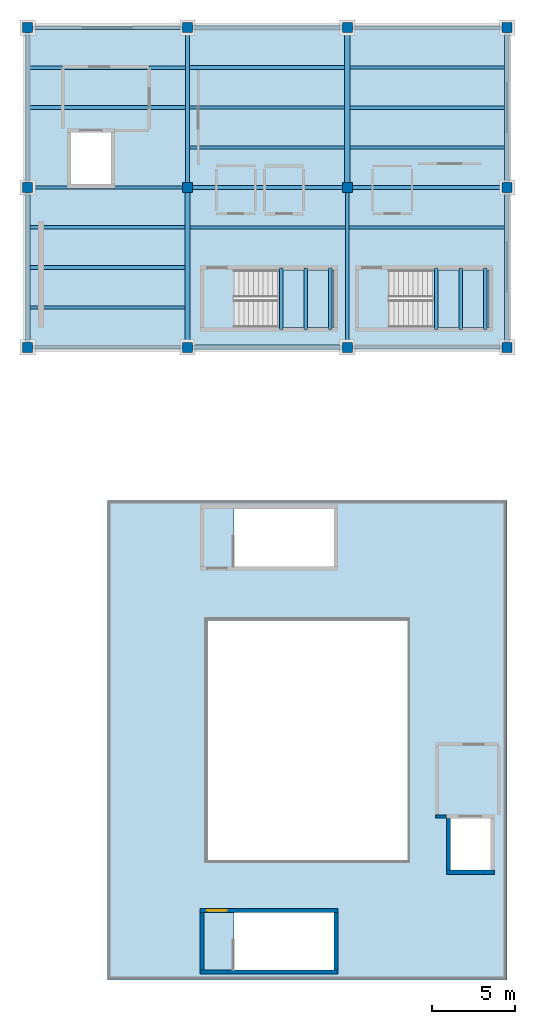
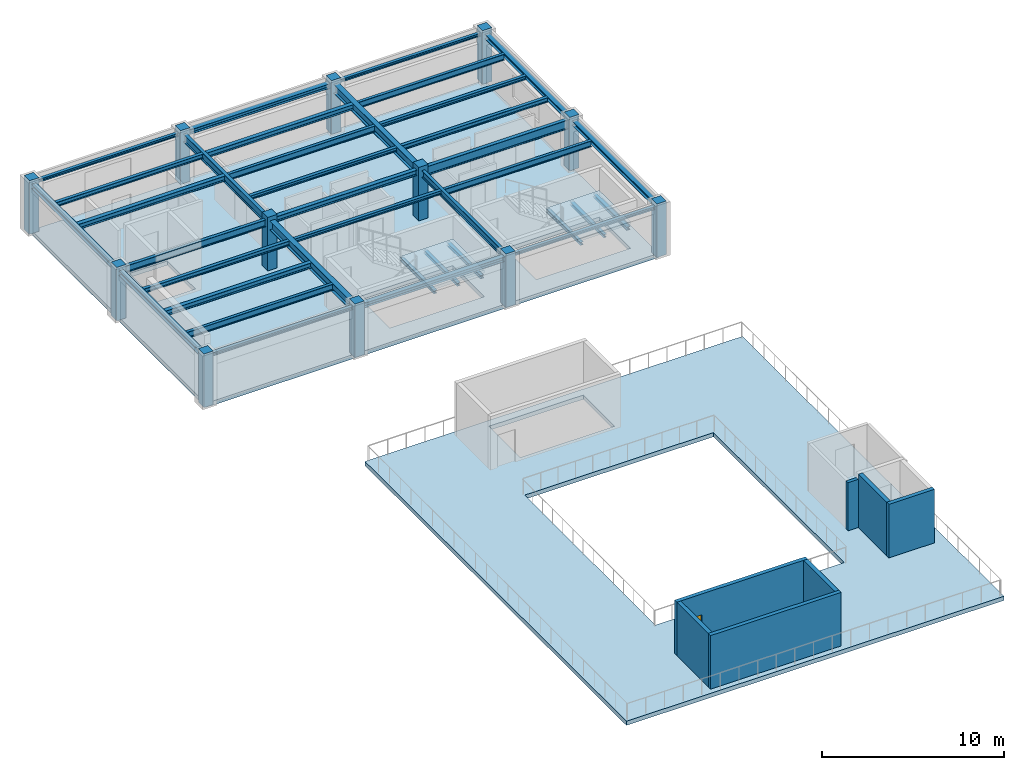
# One storey, part 1 of 6: 36 beams, 12 columns, 7 walls, 4 slabs, 1 door, 1 opening, 2 elements without a shape of their own.
"""IFC4 building model written with IfcOpenShell, lengths in metres."""

from ifc_helpers import new_model, si_unit, direction, frame, frame_2d, origin, origin_2d, place, context, subcontext, project, spatial, polyline, rectangle, i_section, outline, extrude, material, layer, layer_set, material_profile, profile_set, type_object, element, fill, aggregate, save


model = new_model("IFC4")

# Units and contexts
model_context = context("Model", 3, precision=1e-05, world=origin(), true_north=direction((0.0, 1.0)))
body_context = subcontext(model_context, "Body", "Model", "MODEL_VIEW")
ifc_project = project(units=[si_unit("LENGTHUNIT", "METRE"), si_unit("AREAUNIT", "SQUARE_METRE"), si_unit("VOLUMEUNIT", "CUBIC_METRE"), si_unit("PLANEANGLEUNIT", "RADIAN"), si_unit("MASSUNIT", "GRAM", prefix="KILO")], contexts=[model_context])

# Site, building, storey
site_placement = place(None, origin())
site = spatial("IfcSite", under=ifc_project, at=site_placement, CompositionType="ELEMENT")
building_placement = place(site_placement, origin())
building = spatial("IfcBuilding", under=site, at=building_placement, Name="Mavantir Sound Aquarium", CompositionType="ELEMENT")
storey_placement = place(building_placement, frame((0.0, 0.0, 19.800048828125)))
storey = spatial("IfcBuildingStorey", under=building, at=storey_placement, Name="L04", CompositionType="ELEMENT", Elevation=19.800048828125)

# Columns
ifc_material_1 = material(Name="Concrete C40/50", Category="concrete")
ifc_material_profile_1 = material_profile(ifc_material_1, rectangle(XDim=0.60009765625, YDim=0.60009765625, at=origin_2d()), Name="RC 600X600")
ifc_profile_set_1 = profile_set([ifc_material_profile_1], Name="Concrete C40/50")
column_type_1 = type_object("IfcColumnType", Name="COL-RC600-E", PredefinedType="COLUMN", material=ifc_profile_set_1)
for number, where, z_axis, x_axis, name in (
    (1, (0.0, 83.60009765625, 0.0), (0.0, 0.0, 1.0), (1.0, 0.0, 0.0), "L04 column RC-C60 (V5)"),
    (2, (0.0, 93.199951171875, 0.0), (0.0, 0.0, 1.0), (1.0, 0.0, 0.0), "L04 column RC-C60 (V5)"),
    (3, (0.0, 102.800048828125, 0.0), (0.0, 0.0, 1.0), (1.0, 0.0, 0.0), "L04 column RC-C60 (V5)"),
):
    element("IfcColumn", number, at=place(storey_placement, frame(where, z_axis=z_axis, x_axis=x_axis)), inside=storey, type_object=column_type_1, Name=name, PredefinedType="COLUMN", context=body_context, shape_type="SweptSolid", body=[
        extrude(rectangle(XDim=0.60009765625, YDim=0.60009765625, at=origin_2d()), origin(), (0.0, 0.0, 1.0), 3.599853515625),
    ])
ifc_material_profile_2 = material_profile(ifc_material_1, rectangle(XDim=0.60009765625, YDim=0.60009765625, at=origin_2d()), Name="RC 600X600")
ifc_profile_set_2 = profile_set([ifc_material_profile_2], Name="Concrete C40/50")
column_type_2 = type_object("IfcColumnType", Name="COL-RC600-I", PredefinedType="COLUMN", material=ifc_profile_set_2)
for number, where, z_axis, x_axis, name in (
    (4, (9.60009765625, 83.60009765625, 0.0), (0.0, 0.0, 1.0), (1.0, 0.0, 0.0), "L04 column RC-C60 (V5)"),
    (5, (9.60009765625, 93.199951171875, 0.0), (0.0, 0.0, 1.0), (1.0, 0.0, 0.0), "L04 column RC-C60 (V5)"),
    (6, (9.60009765625, 102.800048828125, 0.0), (0.0, 0.0, 1.0), (1.0, 0.0, 0.0), "L04 column RC-C60 (V5)"),
    (7, (19.199951171875, 83.60009765625, 0.0), (0.0, 0.0, 1.0), (1.0, 0.0, 0.0), "L04 column RC-C60 (V5)"),
    (8, (19.199951171875, 93.199951171875, 0.0), (0.0, 0.0, 1.0), (1.0, 0.0, 0.0), "L04 column RC-C60 (V5)"),
    (9, (19.199951171875, 102.800048828125, 0.0), (0.0, 0.0, 1.0), (1.0, 0.0, 0.0), "L04 column RC-C60 (V5)"),
    (10, (28.800048828125, 83.60009765625, 0.0), (0.0, 0.0, 1.0), (1.0, 0.0, 0.0), "L04 column RC-C60 (V5)"),
    (11, (28.800048828125, 93.199951171875, 0.0), (0.0, 0.0, 1.0), (1.0, 0.0, 0.0), "L04 column RC-C60 (V5)"),
    (12, (28.800048828125, 102.800048828125, 0.0), (0.0, 0.0, 1.0), (1.0, 0.0, 0.0), "L04 column RC-C60 (V5)"),
):
    element("IfcColumn", number, at=place(storey_placement, frame(where, z_axis=z_axis, x_axis=x_axis)), inside=storey, type_object=column_type_2, Name=name, PredefinedType="COLUMN", context=body_context, shape_type="SweptSolid", body=[
        extrude(rectangle(XDim=0.60009765625, YDim=0.60009765625, at=origin_2d()), origin(), (0.0, 0.0, 1.0), 3.599853515625),
    ])

# Beams
ifc_material_2 = material(Name="Structural Steel ASTM A992 Gr50", Category="steel")
ifc_material_profile_3 = material_profile(ifc_material_2, i_section(OverallWidth=0.202880859375, OverallDepth=0.202880859375, WebThickness=0.007080078125, FlangeThickness=0.010986328125, FilletRadius=0.010009765625, at=origin_2d()), Name="W200X46")
ifc_profile_set_3 = profile_set([ifc_material_profile_3], Name="Structural Steel ASTM A992 Gr50")
beam_type_1 = type_object("IfcBeamType", Name="BM-W200X46-E", PredefinedType="LINTEL", material=ifc_profile_set_3)
for number, where, z_axis, x_axis, name in (
    (13, (0.300048828125, 83.60009765625, 3.21435546875), (1.0, 0.0, 0.0), (0.0, 1.0, 0.0), "L04 primary beam SL-20 1676"),
    (14, (19.5, 83.60009765625, 3.21435546875), (1.0, 0.0, 0.0), (0.0, 1.0, 0.0), "L04 primary beam SL-20 1678"),
    (15, (0.300048828125, 102.800048828125, 3.21435546875), (1.0, 0.0, 0.0), (0.0, 1.0, 0.0), "L04 primary beam SL-20 1682"),
    (16, (19.5, 102.800048828125, 3.21435546875), (1.0, 0.0, 0.0), (0.0, 1.0, 0.0), "L04 primary beam SL-20 1684"),
):
    element("IfcBeam", number, at=place(storey_placement, frame(where, z_axis=z_axis, x_axis=x_axis)), inside=storey, type_object=beam_type_1, Name=name, PredefinedType="LINTEL", context=body_context, shape_type="SweptSolid", body=[
        extrude(i_section(OverallWidth=0.202880859375, OverallDepth=0.202880859375, WebThickness=0.007080078125, FlangeThickness=0.010986328125, FilletRadius=0.010009765625, at=origin_2d()), origin(), (0.0, 0.0, 1.0), 9.0),
    ])
ifc_material_profile_4 = material_profile(ifc_material_2, i_section(OverallWidth=0.202880859375, OverallDepth=0.202880859375, WebThickness=0.007080078125, FlangeThickness=0.010986328125, FilletRadius=0.010009765625, at=origin_2d()), Name="W200X46")
ifc_profile_set_4 = profile_set([ifc_material_profile_4], Name="Structural Steel ASTM A992 Gr50")
beam_type_2 = type_object("IfcBeamType", Name="BM-W200X46-I", PredefinedType="LINTEL", material=ifc_profile_set_4)
for number, where, z_axis, x_axis, name in (
    (17, (15.22998046875, 84.675048828125, 1.495361328125), (0.0, 1.0, 0.0), (-1.0, 0.0, 0.0), "Stair ST5 landing support beam 100"),
    (18, (16.705078125, 84.675048828125, 1.495361328125), (0.0, 1.0, 0.0), (-1.0, 0.0, 0.0), "Stair ST5 landing support beam 101"),
    (19, (18.179931640625, 84.675048828125, 1.495361328125), (0.0, 1.0, 0.0), (-1.0, 0.0, 0.0), "Stair ST5 landing support beam 102"),
    (20, (24.530029296875, 84.675048828125, 1.495361328125), (0.0, 1.0, 0.0), (-1.0, 0.0, 0.0), "Stair ST7 landing support beam 121"),
    (21, (26.0048828125, 84.675048828125, 1.495361328125), (0.0, 1.0, 0.0), (-1.0, 0.0, 0.0), "Stair ST7 landing support beam 122"),
    (22, (27.47998046875, 84.675048828125, 1.495361328125), (0.0, 1.0, 0.0), (-1.0, 0.0, 0.0), "Stair ST7 landing support beam 123"),
):
    element("IfcBeam", number, at=place(storey_placement, frame(where, z_axis=z_axis, x_axis=x_axis)), inside=storey, type_object=beam_type_2, Name=name, PredefinedType="LINTEL", context=body_context, shape_type="SweptSolid", body=[
        extrude(i_section(OverallWidth=0.202880859375, OverallDepth=0.202880859375, WebThickness=0.007080078125, FlangeThickness=0.010986328125, FilletRadius=0.010009765625, at=origin_2d()), origin(), (0.0, 0.0, 1.0), 3.699951171875),
    ])
ifc_material_profile_5 = material_profile(ifc_material_2, i_section(OverallWidth=0.202880859375, OverallDepth=0.251953125, WebThickness=0.008056640625, FlangeThickness=0.013427734375, FilletRadius=0.011962890625, at=origin_2d()), Name="W250X58")
ifc_profile_set_5 = profile_set([ifc_material_profile_5], Name="Structural Steel ASTM A992 Gr50")
beam_type_3 = type_object("IfcBeamType", Name="BM-W250X58-I", PredefinedType="JOIST", material=ifc_profile_set_5)
beam_1_placement = place(storey_placement, frame((9.761962890625, 90.800048828125, 3.18994140625), z_axis=(1.0, 0.0, 0.0), x_axis=(0.0, 1.0, 0.0)))
element("IfcBeam", 23, at=beam_1_placement, inside=storey, type_object=beam_type_3, Name="L04 secondary floor joist SJ-25 1000", PredefinedType="JOIST", context=body_context, shape_type="SweptSolid", body=[
    extrude(i_section(OverallWidth=0.202880859375, OverallDepth=0.251953125, WebThickness=0.008056640625, FlangeThickness=0.013427734375, FilletRadius=0.011962890625, at=origin_2d()), origin(), (0.0, 0.0, 1.0), 9.341064453125),
])
beam_2_placement = place(storey_placement, frame((9.7060546875, 95.60009765625, 3.18994140625), z_axis=(1.0, 0.0, 0.0), x_axis=(0.0, 1.0, 0.0)))
element("IfcBeam", 24, at=beam_2_placement, inside=storey, type_object=beam_type_3, Name="L04 secondary floor joist SJ-25 1004", PredefinedType="JOIST", context=body_context, shape_type="SweptSolid", body=[
    extrude(i_section(OverallWidth=0.202880859375, OverallDepth=0.251953125, WebThickness=0.008056640625, FlangeThickness=0.013427734375, FilletRadius=0.011962890625, at=origin_2d()), origin(), (0.0, 0.0, 1.0), 9.33203125),
])
beam_3_placement = place(storey_placement, frame((19.362060546875, 98.0, 3.18994140625), z_axis=(1.0, 0.0, 0.0), x_axis=(0.0, 1.0, 0.0)))
element("IfcBeam", 25, at=beam_3_placement, inside=storey, type_object=beam_type_3, Name="L04 secondary floor joist SJ-25 1008", PredefinedType="JOIST", context=body_context, shape_type="SweptSolid", body=[
    extrude(i_section(OverallWidth=0.202880859375, OverallDepth=0.251953125, WebThickness=0.008056640625, FlangeThickness=0.013427734375, FilletRadius=0.011962890625, at=origin_2d()), origin(), (0.0, 0.0, 1.0), 9.285400390625),
])
ifc_material_profile_6 = material_profile(ifc_material_2, i_section(OverallWidth=0.205078125, OverallDepth=0.31005859375, WebThickness=0.009521484375, FlangeThickness=0.016357421875, FilletRadius=0.012939453125, at=origin_2d()), Name="W310X74")
ifc_profile_set_6 = profile_set([ifc_material_profile_6], Name="Structural Steel ASTM A992 Gr50")
beam_type_4 = type_object("IfcBeamType", Name="BM-W310X74-I", PredefinedType="JOIST", material=ifc_profile_set_6)
beam_4_placement = place(storey_placement, frame((0.152587890625, 90.800048828125, 3.160888671875), z_axis=(1.0, 0.0, 0.0), x_axis=(0.0, 1.0, 0.0)))
element("IfcBeam", 26, at=beam_4_placement, inside=storey, type_object=beam_type_4, Name="L04 secondary floor joist SJ-31 999", PredefinedType="JOIST", context=body_context, shape_type="SweptSolid", body=[
    extrude(i_section(OverallWidth=0.205078125, OverallDepth=0.31005859375, WebThickness=0.009521484375, FlangeThickness=0.016357421875, FilletRadius=0.012939453125, at=origin_2d()), origin(), (0.0, 0.0, 1.0), 9.285400390625),
])
beam_5_placement = place(storey_placement, frame((0.152587890625, 100.39990234375, 3.160888671875), z_axis=(1.0, 0.0, 0.0), x_axis=(0.0, 1.0, 0.0)))
element("IfcBeam", 27, at=beam_5_placement, inside=storey, type_object=beam_type_4, Name="L04 secondary floor joist SJ-31 1003", PredefinedType="JOIST", context=body_context, shape_type="SweptSolid", body=[
    extrude(i_section(OverallWidth=0.205078125, OverallDepth=0.31005859375, WebThickness=0.009521484375, FlangeThickness=0.016357421875, FilletRadius=0.012939453125, at=origin_2d()), origin(), (0.0, 0.0, 1.0), 9.34130859375),
])
beam_6_placement = place(storey_placement, frame((19.362060546875, 95.60009765625, 3.160888671875), z_axis=(1.0, 0.0, 0.0), x_axis=(0.0, 1.0, 0.0)))
element("IfcBeam", 28, at=beam_6_placement, inside=storey, type_object=beam_type_4, Name="L04 secondary floor joist SJ-31 1007", PredefinedType="JOIST", context=body_context, shape_type="SweptSolid", body=[
    extrude(i_section(OverallWidth=0.205078125, OverallDepth=0.31005859375, WebThickness=0.009521484375, FlangeThickness=0.016357421875, FilletRadius=0.012939453125, at=origin_2d()), origin(), (0.0, 0.0, 1.0), 9.285400390625),
])
ifc_material_profile_7 = material_profile(ifc_material_2, i_section(OverallWidth=0.304931640625, OverallDepth=0.30810546875, WebThickness=0.010009765625, FlangeThickness=0.015380859375, FilletRadius=0.014892578125, at=origin_2d()), Name="W310X97")
ifc_profile_set_7 = profile_set([ifc_material_profile_7], Name="Structural Steel ASTM A992 Gr50")
beam_type_5 = type_object("IfcBeamType", Name="BM-W310X97-E", PredefinedType="SPANDREL", material=ifc_profile_set_7)
for number, where, z_axis, x_axis, name in (
    (29, (9.89990234375, 83.60009765625, 3.161865234375), (1.0, 0.0, 0.0), (0.0, 1.0, 0.0), "L04 primary beam SS-31A 1677"),
    (30, (9.89990234375, 102.800048828125, 3.161865234375), (1.0, 0.0, 0.0), (0.0, 1.0, 0.0), "L04 primary beam SS-31A 1683"),
    (31, (0.0, 83.89990234375, 3.161865234375), (0.0, 1.0, 0.0), (-1.0, 0.0, 0.0), "L04 primary girder SS-31A 1685"),
    (32, (0.0, 93.5, 3.161865234375), (0.0, 1.0, 0.0), (-1.0, 0.0, 0.0), "L04 primary girder SS-31A 1686"),
    (33, (28.800048828125, 83.89990234375, 3.161865234375), (0.0, 1.0, 0.0), (-1.0, 0.0, 0.0), "L04 primary girder SS-31A 1691"),
    (34, (28.800048828125, 93.5, 3.161865234375), (0.0, 1.0, 0.0), (-1.0, 0.0, 0.0), "L04 primary girder SS-31A 1692"),
):
    element("IfcBeam", number, at=place(storey_placement, frame(where, z_axis=z_axis, x_axis=x_axis)), inside=storey, type_object=beam_type_5, Name=name, PredefinedType="SPANDREL", context=body_context, shape_type="SweptSolid", body=[
        extrude(i_section(OverallWidth=0.304931640625, OverallDepth=0.30810546875, WebThickness=0.010009765625, FlangeThickness=0.015380859375, FilletRadius=0.014892578125, at=origin_2d()), origin(), (0.0, 0.0, 1.0), 9.0),
    ])
ifc_material_profile_8 = material_profile(ifc_material_2, i_section(OverallWidth=0.257080078125, OverallDepth=0.363037109375, WebThickness=0.012939453125, FlangeThickness=0.021728515625, FilletRadius=0.014892578125, at=origin_2d()), Name="W360X122")
ifc_profile_set_8 = profile_set([ifc_material_profile_8], Name="Structural Steel ASTM A992 Gr50")
beam_type_6 = type_object("IfcBeamType", Name="BM-W360X122-I", PredefinedType="BEAM", material=ifc_profile_set_8)
beam_7_placement = place(storey_placement, frame((9.89990234375, 93.199951171875, 3.134521484375), z_axis=(1.0, 0.0, 0.0), x_axis=(0.0, 1.0, 0.0)))
element("IfcBeam", 35, at=beam_7_placement, inside=storey, type_object=beam_type_6, Name="L04 primary beam SB-36A 1680", PredefinedType="BEAM", context=body_context, shape_type="SweptSolid", body=[
    extrude(i_section(OverallWidth=0.257080078125, OverallDepth=0.363037109375, WebThickness=0.012939453125, FlangeThickness=0.021728515625, FilletRadius=0.014892578125, at=origin_2d()), origin(), (0.0, 0.0, 1.0), 9.0),
])
ifc_material_profile_9 = material_profile(ifc_material_2, i_section(OverallWidth=0.25390625, OverallDepth=0.35302734375, WebThickness=0.009521484375, FlangeThickness=0.016357421875, FilletRadius=0.014892578125, at=origin_2d()), Name="W360X91")
ifc_profile_set_9 = profile_set([ifc_material_profile_9], Name="Structural Steel ASTM A992 Gr50")
beam_type_7 = type_object("IfcBeamType", Name="BM-W360X91-I", PredefinedType="JOIST", material=ifc_profile_set_9)
beam_8_placement = place(storey_placement, frame((0.152587890625, 88.39990234375, 3.139404296875), z_axis=(1.0, 0.0, 0.0), x_axis=(0.0, 1.0, 0.0)))
element("IfcBeam", 36, at=beam_8_placement, inside=storey, type_object=beam_type_7, Name="L04 secondary floor joist SJ-36 998", PredefinedType="JOIST", context=body_context, shape_type="SweptSolid", body=[
    extrude(i_section(OverallWidth=0.25390625, OverallDepth=0.35302734375, WebThickness=0.009521484375, FlangeThickness=0.016357421875, FilletRadius=0.014892578125, at=origin_2d()), origin(), (0.0, 0.0, 1.0), 9.285400390625),
])
beam_9_placement = place(storey_placement, frame((0.152587890625, 98.0, 3.139404296875), z_axis=(1.0, 0.0, 0.0), x_axis=(0.0, 1.0, 0.0)))
element("IfcBeam", 37, at=beam_9_placement, inside=storey, type_object=beam_type_7, Name="L04 secondary floor joist SJ-36 1002", PredefinedType="JOIST", context=body_context, shape_type="SweptSolid", body=[
    extrude(i_section(OverallWidth=0.25390625, OverallDepth=0.35302734375, WebThickness=0.009521484375, FlangeThickness=0.016357421875, FilletRadius=0.014892578125, at=origin_2d()), origin(), (0.0, 0.0, 1.0), 9.34130859375),
])
beam_10_placement = place(storey_placement, frame((9.7060546875, 100.39990234375, 3.139404296875), z_axis=(1.0, 0.0, 0.0), x_axis=(0.0, 1.0, 0.0)))
element("IfcBeam", 38, at=beam_10_placement, inside=storey, type_object=beam_type_7, Name="L04 secondary floor joist SJ-36 1006", PredefinedType="JOIST", context=body_context, shape_type="SweptSolid", body=[
    extrude(i_section(OverallWidth=0.25390625, OverallDepth=0.35302734375, WebThickness=0.009521484375, FlangeThickness=0.016357421875, FilletRadius=0.014892578125, at=origin_2d()), origin(), (0.0, 0.0, 1.0), 9.33203125),
])
ifc_material_profile_10 = material_profile(ifc_material_2, i_section(OverallWidth=0.180908203125, OverallDepth=0.4169921875, WebThickness=0.010986328125, FlangeThickness=0.018310546875, FilletRadius=0.014892578125, at=origin_2d()), Name="W410X85")
ifc_profile_set_10 = profile_set([ifc_material_profile_10], Name="Structural Steel ASTM A992 Gr50")
beam_type_8 = type_object("IfcBeamType", Name="BM-W410X85-I", PredefinedType="JOIST", material=ifc_profile_set_10)
beam_11_placement = place(storey_placement, frame((0.152587890625, 86.0, 3.107421875), z_axis=(1.0, 0.0, 0.0), x_axis=(0.0, 1.0, 0.0)))
element("IfcBeam", 39, at=beam_11_placement, inside=storey, type_object=beam_type_8, Name="L04 secondary floor joist SJ-41 997", PredefinedType="JOIST", context=body_context, shape_type="SweptSolid", body=[
    extrude(i_section(OverallWidth=0.180908203125, OverallDepth=0.4169921875, WebThickness=0.010986328125, FlangeThickness=0.018310546875, FilletRadius=0.014892578125, at=origin_2d()), origin(), (0.0, 0.0, 1.0), 9.285400390625),
])
beam_12_placement = place(storey_placement, frame((19.297119140625, 90.800048828125, 3.107421875), z_axis=(1.0, 0.0, 0.0), x_axis=(0.0, 1.0, 0.0)))
element("IfcBeam", 40, at=beam_12_placement, inside=storey, type_object=beam_type_8, Name="L04 secondary floor joist SJ-41 1001", PredefinedType="JOIST", context=body_context, shape_type="SweptSolid", body=[
    extrude(i_section(OverallWidth=0.180908203125, OverallDepth=0.4169921875, WebThickness=0.010986328125, FlangeThickness=0.018310546875, FilletRadius=0.014892578125, at=origin_2d()), origin(), (0.0, 0.0, 1.0), 9.350341796875),
])
beam_13_placement = place(storey_placement, frame((9.7060546875, 98.0, 3.107421875), z_axis=(1.0, 0.0, 0.0), x_axis=(0.0, 1.0, 0.0)))
element("IfcBeam", 41, at=beam_13_placement, inside=storey, type_object=beam_type_8, Name="L04 secondary floor joist SJ-41 1005", PredefinedType="JOIST", context=body_context, shape_type="SweptSolid", body=[
    extrude(i_section(OverallWidth=0.180908203125, OverallDepth=0.4169921875, WebThickness=0.010986328125, FlangeThickness=0.018310546875, FilletRadius=0.014892578125, at=origin_2d()), origin(), (0.0, 0.0, 1.0), 9.33203125),
])
beam_14_placement = place(storey_placement, frame((19.362060546875, 100.39990234375, 3.107421875), z_axis=(1.0, 0.0, 0.0), x_axis=(0.0, 1.0, 0.0)))
element("IfcBeam", 42, at=beam_14_placement, inside=storey, type_object=beam_type_8, Name="L04 secondary floor joist SJ-41 1009", PredefinedType="JOIST", context=body_context, shape_type="SweptSolid", body=[
    extrude(i_section(OverallWidth=0.180908203125, OverallDepth=0.4169921875, WebThickness=0.010986328125, FlangeThickness=0.018310546875, FilletRadius=0.014892578125, at=origin_2d()), origin(), (0.0, 0.0, 1.0), 9.285400390625),
])
ifc_material_profile_11 = material_profile(ifc_material_2, i_section(OverallWidth=0.194091796875, OverallDepth=0.468994140625, WebThickness=0.0126953125, FlangeThickness=0.0205078125, FilletRadius=0.01611328125, at=origin_2d()), Name="W460X106")
ifc_profile_set_11 = profile_set([ifc_material_profile_11], Name="Structural Steel ASTM A992 Gr50")
beam_type_9 = type_object("IfcBeamType", Name="BM-W460X106-I", PredefinedType="BEAM", material=ifc_profile_set_11)
for number, where, z_axis, x_axis, name in (
    (43, (0.300048828125, 93.199951171875, 3.08154296875), (1.0, 0.0, 0.0), (0.0, 1.0, 0.0), "L04 primary beam SB-46 1679"),
    (44, (19.199951171875, 83.89990234375, 3.08154296875), (0.0, 1.0, 0.0), (-1.0, 0.0, 0.0), "L04 primary girder SB-46 1689"),
):
    element("IfcBeam", number, at=place(storey_placement, frame(where, z_axis=z_axis, x_axis=x_axis)), inside=storey, type_object=beam_type_9, Name=name, PredefinedType="BEAM", context=body_context, shape_type="SweptSolid", body=[
        extrude(i_section(OverallWidth=0.194091796875, OverallDepth=0.468994140625, WebThickness=0.0126953125, FlangeThickness=0.0205078125, FilletRadius=0.01611328125, at=origin_2d()), origin(), (0.0, 0.0, 1.0), 9.0),
    ])
ifc_material_profile_12 = material_profile(ifc_material_2, i_section(OverallWidth=0.2119140625, OverallDepth=0.5439453125, WebThickness=0.01318359375, FlangeThickness=0.021240234375, FilletRadius=0.01806640625, at=origin_2d()), Name="W530X123")
ifc_profile_set_12 = profile_set([ifc_material_profile_12], Name="Structural Steel ASTM A992 Gr50")
beam_type_10 = type_object("IfcBeamType", Name="BM-W530X123-I", PredefinedType="BEAM", material=ifc_profile_set_12)
beam_15_placement = place(storey_placement, frame((9.60009765625, 93.5, 3.0439453125), z_axis=(0.0, 1.0, 0.0), x_axis=(-1.0, 0.0, 0.0)))
element("IfcBeam", 45, at=beam_15_placement, inside=storey, type_object=beam_type_10, Name="L04 primary girder SB-53 1688", PredefinedType="BEAM", context=body_context, shape_type="SweptSolid", body=[
    extrude(i_section(OverallWidth=0.2119140625, OverallDepth=0.5439453125, WebThickness=0.01318359375, FlangeThickness=0.021240234375, FilletRadius=0.01806640625, at=origin_2d()), origin(), (0.0, 0.0, 1.0), 9.0),
])
ifc_material_profile_13 = material_profile(ifc_material_2, i_section(OverallWidth=0.22900390625, OverallDepth=0.612060546875, WebThickness=0.011962890625, FlangeThickness=0.01953125, FilletRadius=0.01904296875, at=origin_2d()), Name="W610X125")
ifc_profile_set_13 = profile_set([ifc_material_profile_13], Name="Structural Steel ASTM A992 Gr50")
beam_type_11 = type_object("IfcBeamType", Name="BM-W610X125-I", PredefinedType="BEAM", material=ifc_profile_set_13)
beam_16_placement = place(storey_placement, frame((19.5, 93.199951171875, 3.010009765625), z_axis=(1.0, 0.0, 0.0), x_axis=(0.0, 1.0, 0.0)))
element("IfcBeam", 46, at=beam_16_placement, inside=storey, type_object=beam_type_11, Name="L04 primary beam SB-61B 1681", PredefinedType="BEAM", context=body_context, shape_type="SweptSolid", body=[
    extrude(i_section(OverallWidth=0.22900390625, OverallDepth=0.612060546875, WebThickness=0.011962890625, FlangeThickness=0.01953125, FilletRadius=0.01904296875, at=origin_2d()), origin(), (0.0, 0.0, 1.0), 9.0),
])
ifc_material_profile_14 = material_profile(ifc_material_2, i_section(OverallWidth=0.323974609375, OverallDepth=0.611083984375, WebThickness=0.0126953125, FlangeThickness=0.01904296875, FilletRadius=0.01904296875, at=origin_2d()), Name="W610X155")
ifc_profile_set_14 = profile_set([ifc_material_profile_14], Name="Structural Steel ASTM A992 Gr50")
beam_type_12 = type_object("IfcBeamType", Name="BM-W610X155-I", PredefinedType="BEAM", material=ifc_profile_set_14)
for number, where, z_axis, x_axis, name in (
    (47, (9.60009765625, 83.89990234375, 3.010498046875), (0.0, 1.0, 0.0), (-1.0, 0.0, 0.0), "L04 primary girder SB-61A 1687"),
    (48, (19.199951171875, 93.5, 3.010498046875), (0.0, 1.0, 0.0), (-1.0, 0.0, 0.0), "L04 primary girder SB-61A 1690"),
):
    element("IfcBeam", number, at=place(storey_placement, frame(where, z_axis=z_axis, x_axis=x_axis)), inside=storey, type_object=beam_type_12, Name=name, PredefinedType="BEAM", context=body_context, shape_type="SweptSolid", body=[
        extrude(i_section(OverallWidth=0.323974609375, OverallDepth=0.611083984375, WebThickness=0.0126953125, FlangeThickness=0.01904296875, FilletRadius=0.01904296875, at=origin_2d()), origin(), (0.0, 0.0, 1.0), 9.0),
    ])

# Slabs
ifc_layer_1 = layer(ifc_material_1, 0.280029296875, Name="Concrete C40/50")
ifc_layer_set_1 = layer_set([ifc_layer_1], Name="Concrete C40/50")
slab_type_1 = type_object("IfcSlabType", Name="SLB-FS-04", PredefinedType="FLOOR", material=ifc_layer_set_1)
slab_1_placement = place(storey_placement, frame((0.0, 0.0, -0.280029296875)))
element("IfcSlab", 49, at=slab_1_placement, inside=storey, type_object=slab_type_1, Name="L04 structural slab FS-04 (V1)", PredefinedType="FLOOR", context=body_context, shape_type="SweptSolid", body=[
    extrude(outline(polyline([(28.800048828125, 45.60009765625), (28.800048828125, 74.39990234375), (4.800048828125, 74.39990234375), (4.800048828125, 45.60009765625), (28.800048828125, 45.60009765625)]), holes=[polyline([(10.800048828125, 52.800048828125), (22.800048828125, 52.800048828125), (22.800048828125, 67.199951171875), (10.800048828125, 67.199951171875), (10.800048828125, 52.800048828125)]), polyline([(12.39990234375, 46.199951171875), (18.39990234375, 46.199951171875), (18.39990234375, 49.64990234375), (12.39990234375, 49.64990234375), (12.39990234375, 46.199951171875)]), polyline([(12.39990234375, 70.449951171875), (18.39990234375, 70.449951171875), (18.39990234375, 73.89990234375), (12.39990234375, 73.89990234375), (12.39990234375, 70.449951171875)]), polyline([(25.39990234375, 52.199951171875), (27.800048828125, 52.199951171875), (27.800048828125, 55.300048828125), (25.39990234375, 55.300048828125), (25.39990234375, 52.199951171875)])]), origin(), (0.0, 0.0, 1.0), 0.280029296875),
])
slab_2_placement = place(storey_placement, frame((0.0, 0.0, -0.280029296875)))
element("IfcSlab", 50, at=slab_2_placement, inside=storey, type_object=slab_type_1, Name="L04 structural slab FS-04 (V5)", PredefinedType="FLOOR", context=body_context, shape_type="SweptSolid", body=[
    extrude(outline(polyline([(28.800048828125, 83.60009765625), (28.800048828125, 102.800048828125), (0.0, 102.800048828125), (0.0, 83.60009765625), (28.800048828125, 83.60009765625)]), holes=[polyline([(12.39990234375, 84.800048828125), (18.39990234375, 84.800048828125), (18.39990234375, 88.25), (12.39990234375, 88.25), (12.39990234375, 84.800048828125)]), polyline([(21.699951171875, 84.800048828125), (27.699951171875, 84.800048828125), (27.699951171875, 88.25), (21.699951171875, 88.25), (21.699951171875, 84.800048828125)]), polyline([(2.60009765625, 93.39990234375), (5.0, 93.39990234375), (5.0, 96.5), (2.60009765625, 96.5), (2.60009765625, 93.39990234375)])]), origin(), (0.0, 0.0, 1.0), 0.280029296875),
])

# Stair, slab
stair_type = type_object("IfcStairType", Name="STR-1650-3600", PredefinedType="HALF_TURN_STAIR", material=ifc_material_1)
stair_1_placement = place(storey_placement, origin())
stair_1 = element("IfcStair", 51, at=stair_1_placement, inside=storey, type_object=stair_type, Name="L04 Protected exit stair ST5", PredefinedType="HALF_TURN_STAIR")
ifc_layer_2 = layer(ifc_material_1, 0.199951171875, Name="Concrete C40/50")
ifc_layer_set_2 = layer_set([ifc_layer_2], Name="Concrete C40/50")
slab_type_2 = type_object("IfcSlabType", Name="SLB-LND-360", PredefinedType="LANDING", material=ifc_layer_set_2)
slab_3_placement = place(storey_placement, frame((0.0, 0.0, 1.599853515625)))
slab_3 = element("IfcSlab", 52, at=slab_3_placement, type_object=slab_type_2, Name="ST5 landing 1", PredefinedType="LANDING", context=body_context, shape_type="SweptSolid", body=[
    extrude(outline(polyline([(15.010009765625, 84.800048828125), (18.39990234375, 84.800048828125), (18.39990234375, 88.25), (15.010009765625, 88.25), (15.010009765625, 84.800048828125)])), origin(), (0.0, 0.0, 1.0), 0.2001953125),
])
aggregate(stair_1, [slab_3])

stair_2_placement = place(storey_placement, origin())
stair_2 = element("IfcStair", 53, at=stair_2_placement, inside=storey, type_object=stair_type, Name="L04 Protected exit stair ST7", PredefinedType="HALF_TURN_STAIR")
slab_4_placement = place(storey_placement, frame((0.0, 0.0, 1.599853515625)))
slab_4 = element("IfcSlab", 54, at=slab_4_placement, type_object=slab_type_2, Name="ST7 landing 1", PredefinedType="LANDING", context=body_context, shape_type="SweptSolid", body=[
    extrude(outline(polyline([(24.31005859375, 84.800048828125), (27.699951171875, 84.800048828125), (27.699951171875, 88.25), (24.31005859375, 88.25), (24.31005859375, 84.800048828125)])), origin(), (0.0, 0.0, 1.0), 0.2001953125),
])
aggregate(stair_2, [slab_4])

# Walls
ifc_layer_3 = layer(ifc_material_1, 0.199951171875, Name="Concrete C40/50")
ifc_layer_set_3 = layer_set([ifc_layer_3], Name="Concrete C40/50")
wall_type_1 = type_object("IfcWallType", Name="IW-FFL-200", PredefinedType="PARTITIONING", material=ifc_layer_set_3)
wall_1_placement = place(storey_placement, frame((24.5, 55.425048828125, 0.0), z_axis=(0.0, 0.0, 1.0), x_axis=(1.0, 0.0, 0.0)))
element("IfcWall", 55, at=wall_1_placement, inside=storey, type_object=wall_type_1, Name="L04 firefighting lift lobby LC1 return SW", PredefinedType="PARTITIONING", context=body_context, shape_type="SweptSolid", body=[
    extrude(rectangle(XDim=0.64990234375, YDim=0.199951171875, at=frame_2d((0.324951171875, 0.0))), origin(), (0.0, 0.0, 1.0), 3.239990234375),
])
ifc_layer_4 = layer(ifc_material_1, 0.25, Name="Concrete C40/50")
ifc_layer_set_4 = layer_set([ifc_layer_4], Name="Concrete C40/50")
wall_type_2 = type_object("IfcWallType", Name="IW-SHAFT-250", PredefinedType="SHEAR", material=ifc_layer_set_4)
wall_2_placement = place(storey_placement, frame((10.35009765625, 46.074951171875, 0.0), z_axis=(0.0, 0.0, 1.0), x_axis=(1.0, 0.0, 0.0)))
element("IfcWall", 56, at=wall_2_placement, inside=storey, type_object=wall_type_2, Name="L04 stair ST9 shaft wall S", PredefinedType="SHEAR", context=body_context, shape_type="SweptSolid", body=[
    extrude(rectangle(XDim=8.2998046875, YDim=0.25, at=frame_2d((4.14990234375, 0.0))), origin(), (0.0, 0.0, 1.0), 3.599853515625),
])

# Wall, opening, door
wall_3_placement = place(storey_placement, frame((18.64990234375, 49.77490234375, 0.0), z_axis=(0.0, 0.0, 1.0), x_axis=(-1.0, 0.0, 0.0)))
wall_3 = element("IfcWall", 57, at=wall_3_placement, inside=storey, type_object=wall_type_2, Name="L04 stair ST9 shaft wall N", PredefinedType="SHEAR", context=body_context, shape_type="SweptSolid", body=[
    extrude(rectangle(XDim=8.2998046875, YDim=0.25, at=frame_2d((4.14990234375, 0.0))), origin(), (0.0, 0.0, 1.0), 3.599853515625),
])
opening_placement = place(wall_3_placement, frame((7.849853515625, 0.0, 0.0), z_axis=(0.0, 0.0, 1.0), x_axis=(-1.0, 0.0, 0.0)))
opening = element("IfcOpeningElement", 58, at=opening_placement, cuts=wall_3, Name="Opening SD-02", PredefinedType="OPENING", context=body_context, shape_type="SweptSolid", body=[
    extrude(rectangle(XDim=1.14990234375, YDim=2.199951171875, at=frame_2d((0.574951171875, 1.10009765625))), frame((0.0, 0.135009765625, 0.0), z_axis=(0.0, -1.0, 0.0), x_axis=(1.0, 0.0, 0.0)), (0.0, 0.0, 1.0), 0.27001953125),
])
ifc_material_3 = material(Name="Fire-Rated Steel Acoustic Door Leaf", Category="steel")
door_type = type_object("IfcDoorType", Name="DR-ST-115", OperationType="NOTDEFINED", PredefinedType="DOOR", material=ifc_material_3)
door_placement = place(opening_placement, origin())
door = element("IfcDoor", 59, at=door_placement, inside=storey, type_object=door_type, Name="L04 protected exit stair ST9 door", OperationType="SINGLE_SWING_RIGHT", OverallHeight=2.199951171875, OverallWidth=1.14990234375, PredefinedType="DOOR", context=body_context, shape_type="SweptSolid", body=[
    extrude(rectangle(XDim=1.14990234375, YDim=2.199951171875, at=frame_2d((0.574951171875, 1.10009765625))), frame((0.0, 0.02490234375, 0.0), z_axis=(0.0, -1.0, 0.0), x_axis=(1.0, 0.0, 0.0)), (0.0, 0.0, 1.0), 0.050048828125),
])
fill(opening, door)

# Walls
for number, where, z_axis, x_axis, name in (
    (60, (10.47509765625, 49.64990234375, 0.0), (0.0, 0.0, 1.0), (0.0, -1.0, 0.0), "L04 stair ST9 shaft wall W"),
    (61, (18.52490234375, 46.199951171875, 0.0), (0.0, 0.0, 1.0), (0.0, 1.0, 0.0), "L04 stair ST9 shaft wall E"),
):
    element("IfcWall", number, at=place(storey_placement, frame(where, z_axis=z_axis, x_axis=x_axis)), inside=storey, type_object=wall_type_2, Name=name, PredefinedType="SHEAR", context=body_context, shape_type="SweptSolid", body=[
        extrude(rectangle(XDim=3.449951171875, YDim=0.25, at=frame_2d((1.72509765625, 0.0))), origin(), (0.0, 0.0, 1.0), 3.599853515625),
    ])
wall_4_placement = place(storey_placement, frame((25.14990234375, 52.074951171875, 0.0), z_axis=(0.0, 0.0, 1.0), x_axis=(1.0, 0.0, 0.0)))
element("IfcWall", 62, at=wall_4_placement, inside=storey, type_object=wall_type_2, Name="L04 lift LC1 shaft wall S", PredefinedType="SHEAR", context=body_context, shape_type="SweptSolid", body=[
    extrude(rectangle(XDim=2.900146484375, YDim=0.25, at=frame_2d((1.4501953125, 0.0))), origin(), (0.0, 0.0, 1.0), 3.599853515625),
])
wall_5_placement = place(storey_placement, frame((25.27490234375, 52.199951171875, 0.0), z_axis=(0.0, 0.0, 1.0), x_axis=(0.0, 1.0, 0.0)))
element("IfcWall", 63, at=wall_5_placement, inside=storey, type_object=wall_type_2, Name="L04 lift LC1 shaft wall W", PredefinedType="SHEAR", context=body_context, shape_type="SweptSolid", body=[
    extrude(rectangle(XDim=3.10009765625, YDim=0.25, at=frame_2d((1.550048828125, 0.0))), origin(), (0.0, 0.0, 1.0), 3.599853515625),
])

save(model, "model.ifc")
